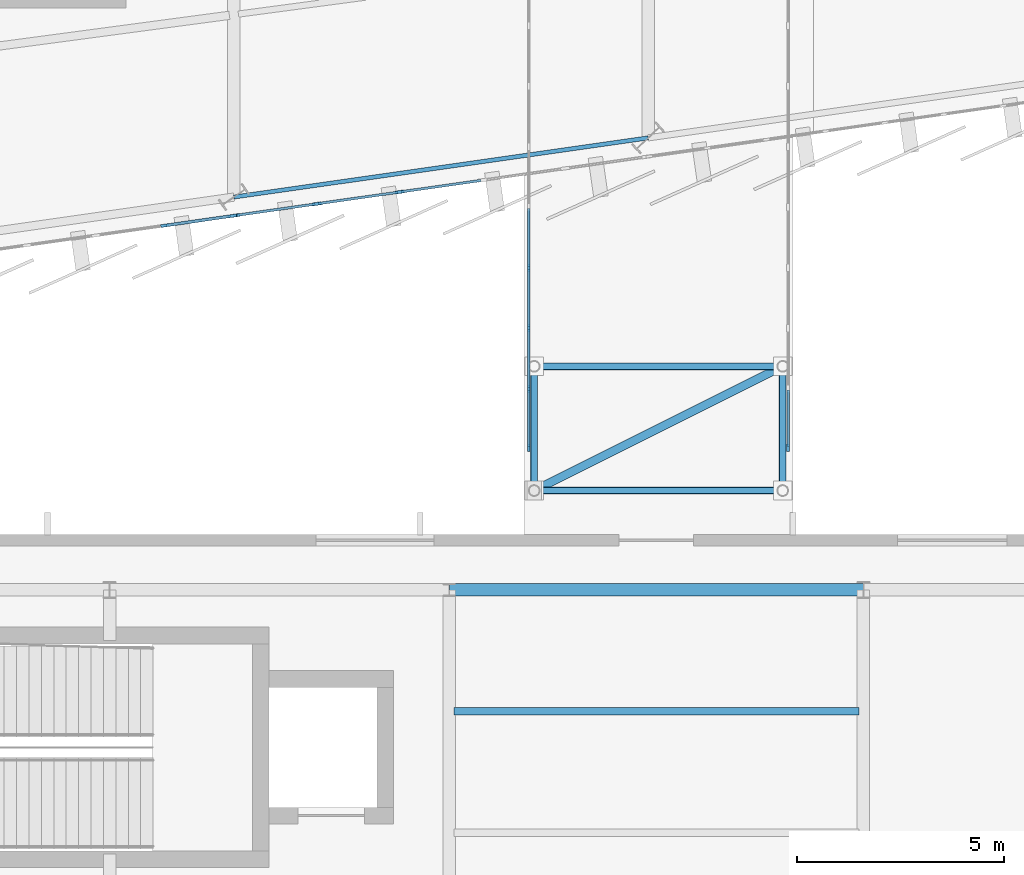
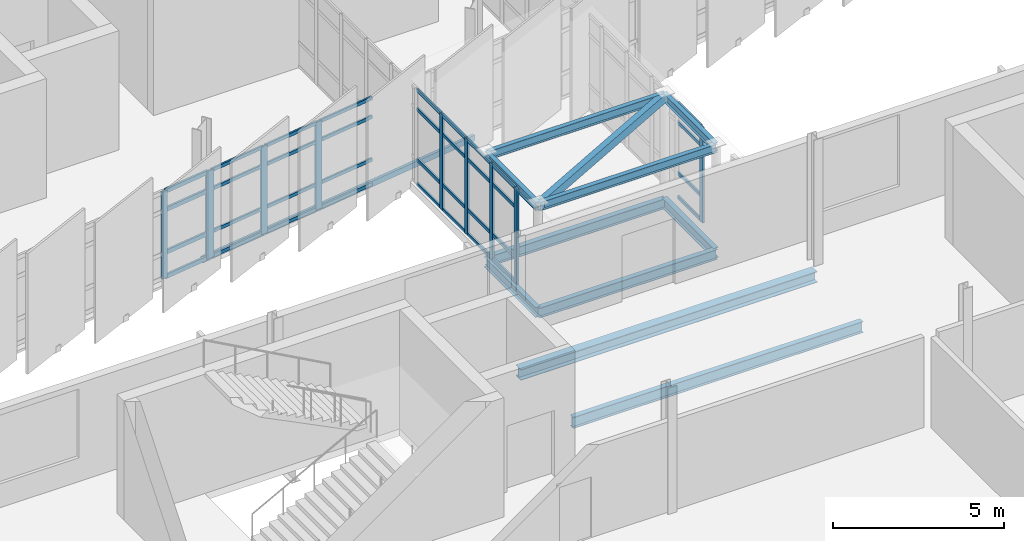
# One storey, part 40 of 125: 47 members, 11 beams, 4 elements without a shape of their own.
"""IFC4 building model written with IfcOpenShell, lengths in metres."""

from ifc_helpers import new_model, si_unit, direction, frame, origin, origin_2d, place, context, subcontext, project, spatial, rectangle, hollow_rectangle, i_section, extrude, material, layer, layer_set, material_profile, profile_set, type_object, element, aggregate, save


model = new_model("IFC4")

# Units and contexts
model_context = context("Model", 3, precision=1e-05, world=origin(), true_north=direction((0.0, 1.0)))
body_context = subcontext(model_context, "Body", "Model", "MODEL_VIEW")
ifc_project = project(units=[si_unit("LENGTHUNIT", "METRE"), si_unit("AREAUNIT", "SQUARE_METRE"), si_unit("VOLUMEUNIT", "CUBIC_METRE"), si_unit("PLANEANGLEUNIT", "RADIAN"), si_unit("MASSUNIT", "GRAM", prefix="KILO")], contexts=[model_context])

# Site, building, storey
site_placement = place(None, origin())
site = spatial("IfcSite", under=ifc_project, at=site_placement, CompositionType="ELEMENT")
building_placement = place(site_placement, origin())
building = spatial("IfcBuilding", under=site, at=building_placement, Name="Sohan Crest Arena", CompositionType="ELEMENT")
storey_placement = place(building_placement, frame((0.0, 0.0, 9.0)))
storey = spatial("IfcBuildingStorey", under=building, at=storey_placement, Name="L02", CompositionType="ELEMENT", Elevation=9.0)

# Curtain wall, members
ifc_material_1 = material(Name="Thermally broken anodised aluminium", Category="aluminium")
ifc_layer_1 = layer(ifc_material_1, 0.18994140625, Name="Thermally broken anodised aluminium")
ifc_layer_set_1 = layer_set([ifc_layer_1], Name="Thermally broken anodised aluminium")
curtain_wall_type_1 = type_object("IfcCurtainWallType", Name="ARC-CW05", PredefinedType="NOTDEFINED", material=ifc_layer_set_1)
curtain_wall_1_placement = place(storey_placement, origin())
curtain_wall_1 = element("IfcCurtainWall", 1, at=curtain_wall_1_placement, inside=storey, type_object=curtain_wall_type_1, Name="Unitised curtain wall CW-257", PredefinedType="NOTDEFINED")
ifc_material_profile_1 = material_profile(ifc_material_1, rectangle(XDim=0.06494140625, YDim=0.179931640625, at=origin_2d()), Name="ALU-MULL 65x180")
ifc_profile_set_1 = profile_set([ifc_material_profile_1], Name="Thermally broken anodised aluminium")
member_type_1 = type_object("IfcMemberType", Name="ARC-CW-ML02", PredefinedType="MULLION", material=ifc_profile_set_1)
member_1_placement = place(storey_placement, frame((135.1201171875, 28.232421875, 0.0), z_axis=(0.0, 0.0, 1.0), x_axis=(-1.0, 0.0, 0.0)))
member_1 = element("IfcMember", 2, at=member_1_placement, type_object=member_type_1, Name="CW-257 mullion 1", PredefinedType="MULLION", context=body_context, shape_type="SweptSolid", body=[
    extrude(rectangle(XDim=0.06494140625, YDim=0.179931640625, at=origin_2d()), origin(), (0.0, 0.0, 1.0), 3.39990234375),
])
member_2_placement = place(storey_placement, frame((135.1201171875, 29.659912109375, 0.0), z_axis=(0.0, 0.0, 1.0), x_axis=(-1.0, 0.0, 0.0)))
member_2 = element("IfcMember", 3, at=member_2_placement, type_object=member_type_1, Name="CW-257 mullion 2", PredefinedType="MULLION", context=body_context, shape_type="SweptSolid", body=[
    extrude(rectangle(XDim=0.06494140625, YDim=0.179931640625, at=origin_2d()), origin(), (0.0, 0.0, 1.0), 3.39990234375),
])
member_3_placement = place(storey_placement, frame((135.1201171875, 31.1201171875, 0.0), z_axis=(0.0, 0.0, 1.0), x_axis=(-1.0, 0.0, 0.0)))
member_3 = element("IfcMember", 4, at=member_3_placement, type_object=member_type_1, Name="CW-257 mullion 3", PredefinedType="MULLION", context=body_context, shape_type="SweptSolid", body=[
    extrude(rectangle(XDim=0.06494140625, YDim=0.179931640625, at=origin_2d()), origin(), (0.0, 0.0, 1.0), 3.39990234375),
])
member_4_placement = place(storey_placement, frame((135.1201171875, 32.580078125, 0.0), z_axis=(0.0, 0.0, 1.0), x_axis=(-1.0, 0.0, 0.0)))
member_4 = element("IfcMember", 5, at=member_4_placement, type_object=member_type_1, Name="CW-257 mullion 4", PredefinedType="MULLION", context=body_context, shape_type="SweptSolid", body=[
    extrude(rectangle(XDim=0.06494140625, YDim=0.179931640625, at=origin_2d()), origin(), (0.0, 0.0, 1.0), 3.39990234375),
])

# Curtain wall, member
curtain_wall_2_placement = place(storey_placement, origin())
curtain_wall_2 = element("IfcCurtainWall", 6, at=curtain_wall_2_placement, inside=storey, type_object=curtain_wall_type_1, Name="Unitised curtain wall CW-258", PredefinedType="NOTDEFINED")
member_5_placement = place(storey_placement, frame((141.3798828125, 28.232421875, 0.0), z_axis=(0.0, 0.0, 1.0), x_axis=(-1.0, 0.0, 0.0)))
member_5 = element("IfcMember", 7, at=member_5_placement, type_object=member_type_1, Name="CW-258 mullion 1", PredefinedType="MULLION", context=body_context, shape_type="SweptSolid", body=[
    extrude(rectangle(XDim=0.06494140625, YDim=0.179931640625, at=origin_2d()), origin(), (0.0, 0.0, 1.0), 3.39990234375),
])

# Curtain wall, members
ifc_layer_2 = layer(ifc_material_1, 0.219970703125, Name="Thermally broken anodised aluminium")
ifc_layer_set_2 = layer_set([ifc_layer_2], Name="Thermally broken anodised aluminium")
curtain_wall_type_2 = type_object("IfcCurtainWallType", Name="ARC-CW03", PredefinedType="NOTDEFINED", material=ifc_layer_set_2)
curtain_wall_3_placement = place(storey_placement, origin())
curtain_wall_3 = element("IfcCurtainWall", 8, at=curtain_wall_3_placement, inside=storey, type_object=curtain_wall_type_2, Name="Unitised curtain wall CW-062", PredefinedType="NOTDEFINED")
ifc_material_profile_2 = material_profile(ifc_material_1, rectangle(XDim=0.070068359375, YDim=0.199951171875, at=origin_2d()), Name="ALU-MULL 70x200")
ifc_profile_set_2 = profile_set([ifc_material_profile_2], Name="Thermally broken anodised aluminium")
member_type_2 = type_object("IfcMemberType", Name="ARC-CW-ML03", PredefinedType="MULLION", material=ifc_profile_set_2)
member_6_placement = place(storey_placement, frame((126.333251953125, 33.597900390625, 0.0), z_axis=(0.0, 0.0, 1.0), x_axis=(-0.141462933734, 0.989943553128, 0.0)))
member_6 = element("IfcMember", 9, at=member_6_placement, type_object=member_type_2, Name="CW-062 mullion 6", PredefinedType="MULLION", context=body_context, shape_type="SweptSolid", body=[
    extrude(rectangle(XDim=0.070068359375, YDim=0.199951171875, at=origin_2d()), origin(), (0.0, 0.0, 1.0), 3.1201171875),
])
member_7_placement = place(storey_placement, frame((127.96533203125, 33.8310546875, 0.0), z_axis=(0.0, 0.0, 1.0), x_axis=(-0.141462933734, 0.989943553128, 0.0)))
member_7 = element("IfcMember", 10, at=member_7_placement, type_object=member_type_2, Name="CW-062 mullion 7", PredefinedType="MULLION", context=body_context, shape_type="SweptSolid", body=[
    extrude(rectangle(XDim=0.070068359375, YDim=0.199951171875, at=origin_2d()), origin(), (0.0, 0.0, 1.0), 3.1201171875),
])

ifc_layer_3 = layer(ifc_material_1, 0.239990234375, Name="Thermally broken anodised aluminium")
ifc_layer_set_3 = layer_set([ifc_layer_3], Name="Thermally broken anodised aluminium")
curtain_wall_type_3 = type_object("IfcCurtainWallType", Name="ARC-CW04", PredefinedType="NOTDEFINED", material=ifc_layer_set_3)
curtain_wall_4_placement = place(storey_placement, origin())
curtain_wall_4 = element("IfcCurtainWall", 11, at=curtain_wall_4_placement, inside=storey, type_object=curtain_wall_type_3, Name="Unitised curtain wall CW-063", PredefinedType="NOTDEFINED")
ifc_material_profile_3 = material_profile(ifc_material_1, rectangle(XDim=0.074951171875, YDim=0.219970703125, at=origin_2d()), Name="ALU-MULL 75x220")
ifc_profile_set_3 = profile_set([ifc_material_profile_3], Name="Thermally broken anodised aluminium")
member_type_3 = type_object("IfcMemberType", Name="ARC-CW-ML04", PredefinedType="MULLION", material=ifc_profile_set_3)
member_8_placement = place(storey_placement, frame((128.037109375, 33.84130859375, 0.0), z_axis=(0.0, 0.0, 1.0), x_axis=(-0.141365918403, 0.989957411768, 0.0)))
member_8 = element("IfcMember", 12, at=member_8_placement, type_object=member_type_3, Name="CW-063 mullion 1", PredefinedType="MULLION", context=body_context, shape_type="SweptSolid", body=[
    extrude(rectangle(XDim=0.074951171875, YDim=0.219970703125, at=origin_2d()), origin(), (0.0, 0.0, 1.0), 3.1201171875),
])
member_9_placement = place(storey_placement, frame((130.0, 34.12158203125, 0.0), z_axis=(0.0, 0.0, 1.0), x_axis=(-0.141365918403, 0.989957411768, 0.0)))
member_9 = element("IfcMember", 13, at=member_9_placement, type_object=member_type_3, Name="CW-063 mullion 2", PredefinedType="MULLION", context=body_context, shape_type="SweptSolid", body=[
    extrude(rectangle(XDim=0.074951171875, YDim=0.219970703125, at=origin_2d()), origin(), (0.0, 0.0, 1.0), 3.1201171875),
])
member_10_placement = place(storey_placement, frame((132.0, 34.4072265625, 0.0), z_axis=(0.0, 0.0, 1.0), x_axis=(-0.141365918403, 0.989957411768, 0.0)))
member_10 = element("IfcMember", 14, at=member_10_placement, type_object=member_type_3, Name="CW-063 mullion 3", PredefinedType="MULLION", context=body_context, shape_type="SweptSolid", body=[
    extrude(rectangle(XDim=0.074951171875, YDim=0.219970703125, at=origin_2d()), origin(), (0.0, 0.0, 1.0), 3.1201171875),
])
ifc_material_profile_4 = material_profile(ifc_material_1, rectangle(XDim=0.06005859375, YDim=0.1201171875, at=origin_2d()), Name="ALU-TRAN 60x120")
ifc_profile_set_4 = profile_set([ifc_material_profile_4], Name="Thermally broken anodised aluminium")
member_type_4 = type_object("IfcMemberType", Name="ARC-CW-TR01", PredefinedType="USERDEFINED", material=ifc_profile_set_4)
member_11_placement = place(storey_placement, frame((128.07421875, 33.8466796875, 0.030029296875), z_axis=(0.989969958362, 0.141278029218, 0.0), x_axis=(-0.141278029218, 0.989969958362, 0.0)))
member_11 = element("IfcMember", 15, at=member_11_placement, type_object=member_type_4, Name="CW-063 transom 1.1", ObjectType="TRANSOM", PredefinedType="USERDEFINED", context=body_context, shape_type="SweptSolid", body=[
    extrude(rectangle(XDim=0.06005859375, YDim=0.1201171875, at=origin_2d()), origin(), (0.0, 0.0, 1.0), 1.90771484375),
])
member_12_placement = place(storey_placement, frame((128.07421875, 33.8466796875, 0.89990234375), z_axis=(0.989969958362, 0.141278029218, 0.0), x_axis=(-0.141278029218, 0.989969958362, 0.0)))
member_12 = element("IfcMember", 16, at=member_12_placement, type_object=member_type_4, Name="CW-063 transom 1.2", ObjectType="TRANSOM", PredefinedType="USERDEFINED", context=body_context, shape_type="SweptSolid", body=[
    extrude(rectangle(XDim=0.06005859375, YDim=0.1201171875, at=origin_2d()), origin(), (0.0, 0.0, 1.0), 1.90771484375),
])
member_13_placement = place(storey_placement, frame((128.07421875, 33.8466796875, 2.419921875), z_axis=(0.989969958362, 0.141278029218, 0.0), x_axis=(-0.141278029218, 0.989969958362, 0.0)))
member_13 = element("IfcMember", 17, at=member_13_placement, type_object=member_type_4, Name="CW-063 transom 1.3", ObjectType="TRANSOM", PredefinedType="USERDEFINED", context=body_context, shape_type="SweptSolid", body=[
    extrude(rectangle(XDim=0.06005859375, YDim=0.1201171875, at=origin_2d()), origin(), (0.0, 0.0, 1.0), 1.90771484375),
])
member_14_placement = place(storey_placement, frame((128.07421875, 33.8466796875, 3.090087890625), z_axis=(0.989969958362, 0.141278029218, 0.0), x_axis=(-0.141278029218, 0.989969958362, 0.0)))
member_14 = element("IfcMember", 18, at=member_14_placement, type_object=member_type_4, Name="CW-063 transom 1.4", ObjectType="TRANSOM", PredefinedType="USERDEFINED", context=body_context, shape_type="SweptSolid", body=[
    extrude(rectangle(XDim=0.06005859375, YDim=0.1201171875, at=origin_2d()), origin(), (0.0, 0.0, 1.0), 1.90771484375),
])
member_15_placement = place(storey_placement, frame((130.037109375, 34.126953125, 0.030029296875), z_axis=(0.98996454836, 0.141315933247, 0.0), x_axis=(-0.141315933247, 0.98996454836, 0.0)))
member_15 = element("IfcMember", 19, at=member_15_placement, type_object=member_type_4, Name="CW-063 transom 2.1", ObjectType="TRANSOM", PredefinedType="USERDEFINED", context=body_context, shape_type="SweptSolid", body=[
    extrude(rectangle(XDim=0.06005859375, YDim=0.1201171875, at=origin_2d()), origin(), (0.0, 0.0, 1.0), 1.9453125),
])
member_16_placement = place(storey_placement, frame((130.037109375, 34.126953125, 0.89990234375), z_axis=(0.98996454836, 0.141315933247, 0.0), x_axis=(-0.141315933247, 0.98996454836, 0.0)))
member_16 = element("IfcMember", 20, at=member_16_placement, type_object=member_type_4, Name="CW-063 transom 2.2", ObjectType="TRANSOM", PredefinedType="USERDEFINED", context=body_context, shape_type="SweptSolid", body=[
    extrude(rectangle(XDim=0.06005859375, YDim=0.1201171875, at=origin_2d()), origin(), (0.0, 0.0, 1.0), 1.9453125),
])
member_17_placement = place(storey_placement, frame((130.037109375, 34.126953125, 2.419921875), z_axis=(0.98996454836, 0.141315933247, 0.0), x_axis=(-0.141315933247, 0.98996454836, 0.0)))
member_17 = element("IfcMember", 21, at=member_17_placement, type_object=member_type_4, Name="CW-063 transom 2.3", ObjectType="TRANSOM", PredefinedType="USERDEFINED", context=body_context, shape_type="SweptSolid", body=[
    extrude(rectangle(XDim=0.06005859375, YDim=0.1201171875, at=origin_2d()), origin(), (0.0, 0.0, 1.0), 1.9453125),
])
member_18_placement = place(storey_placement, frame((130.037109375, 34.126953125, 3.090087890625), z_axis=(0.98996454836, 0.141315933247, 0.0), x_axis=(-0.141315933247, 0.98996454836, 0.0)))
member_18 = element("IfcMember", 22, at=member_18_placement, type_object=member_type_4, Name="CW-063 transom 2.4", ObjectType="TRANSOM", PredefinedType="USERDEFINED", context=body_context, shape_type="SweptSolid", body=[
    extrude(rectangle(XDim=0.06005859375, YDim=0.1201171875, at=origin_2d()), origin(), (0.0, 0.0, 1.0), 1.9453125),
])
member_19_placement = place(storey_placement, frame((132.037109375, 34.41259765625, 0.030029296875), z_axis=(0.98996454836, 0.141315933247, 0.0), x_axis=(-0.141315933247, 0.98996454836, 0.0)))
member_19 = element("IfcMember", 23, at=member_19_placement, type_object=member_type_4, Name="CW-063 transom 3.1", ObjectType="TRANSOM", PredefinedType="USERDEFINED", context=body_context, shape_type="SweptSolid", body=[
    extrude(rectangle(XDim=0.06005859375, YDim=0.1201171875, at=origin_2d()), origin(), (0.0, 0.0, 1.0), 1.9453125),
])
member_20_placement = place(storey_placement, frame((132.037109375, 34.41259765625, 0.89990234375), z_axis=(0.98996454836, 0.141315933247, 0.0), x_axis=(-0.141315933247, 0.98996454836, 0.0)))
member_20 = element("IfcMember", 24, at=member_20_placement, type_object=member_type_4, Name="CW-063 transom 3.2", ObjectType="TRANSOM", PredefinedType="USERDEFINED", context=body_context, shape_type="SweptSolid", body=[
    extrude(rectangle(XDim=0.06005859375, YDim=0.1201171875, at=origin_2d()), origin(), (0.0, 0.0, 1.0), 1.9453125),
])
member_21_placement = place(storey_placement, frame((132.037109375, 34.41259765625, 2.419921875), z_axis=(0.98996454836, 0.141315933247, 0.0), x_axis=(-0.141315933247, 0.98996454836, 0.0)))
member_21 = element("IfcMember", 25, at=member_21_placement, type_object=member_type_4, Name="CW-063 transom 3.3", ObjectType="TRANSOM", PredefinedType="USERDEFINED", context=body_context, shape_type="SweptSolid", body=[
    extrude(rectangle(XDim=0.06005859375, YDim=0.1201171875, at=origin_2d()), origin(), (0.0, 0.0, 1.0), 1.9453125),
])
member_22_placement = place(storey_placement, frame((132.037109375, 34.41259765625, 3.090087890625), z_axis=(0.98996454836, 0.141315933247, 0.0), x_axis=(-0.141315933247, 0.98996454836, 0.0)))
member_22 = element("IfcMember", 26, at=member_22_placement, type_object=member_type_4, Name="CW-063 transom 3.4", ObjectType="TRANSOM", PredefinedType="USERDEFINED", context=body_context, shape_type="SweptSolid", body=[
    extrude(rectangle(XDim=0.06005859375, YDim=0.1201171875, at=origin_2d()), origin(), (0.0, 0.0, 1.0), 1.9453125),
])
aggregate(curtain_wall_4, [member_8, member_9, member_10, member_11, member_12, member_13, member_14, member_15, member_16, member_17, member_18, member_19, member_20, member_21, member_22])

# Member
member_23_placement = place(storey_placement, frame((135.1201171875, 28.264892578125, 0.030029296875), z_axis=(0.0, 1.0, 0.0), x_axis=(-1.0, 0.0, 0.0)))
member_23 = element("IfcMember", 27, at=member_23_placement, type_object=member_type_4, Name="CW-257 transom 1.1", ObjectType="TRANSOM", PredefinedType="USERDEFINED", context=body_context, shape_type="SweptSolid", body=[
    extrude(rectangle(XDim=0.06005859375, YDim=0.1201171875, at=origin_2d()), origin(), (0.0, 0.0, 1.0), 1.362548828125),
])

member_24_placement = place(storey_placement, frame((135.1201171875, 28.264892578125, 0.89990234375), z_axis=(0.0, 1.0, 0.0), x_axis=(-1.0, 0.0, 0.0)))
member_24 = element("IfcMember", 28, at=member_24_placement, type_object=member_type_4, Name="CW-257 transom 1.2", ObjectType="TRANSOM", PredefinedType="USERDEFINED", context=body_context, shape_type="SweptSolid", body=[
    extrude(rectangle(XDim=0.06005859375, YDim=0.1201171875, at=origin_2d()), origin(), (0.0, 0.0, 1.0), 1.362548828125),
])

member_25_placement = place(storey_placement, frame((135.1201171875, 28.264892578125, 2.699951171875), z_axis=(0.0, 1.0, 0.0), x_axis=(-1.0, 0.0, 0.0)))
member_25 = element("IfcMember", 29, at=member_25_placement, type_object=member_type_4, Name="CW-257 transom 1.3", ObjectType="TRANSOM", PredefinedType="USERDEFINED", context=body_context, shape_type="SweptSolid", body=[
    extrude(rectangle(XDim=0.06005859375, YDim=0.1201171875, at=origin_2d()), origin(), (0.0, 0.0, 1.0), 1.362548828125),
])

member_26_placement = place(storey_placement, frame((135.1201171875, 28.264892578125, 3.3701171875), z_axis=(0.0, 1.0, 0.0), x_axis=(-1.0, 0.0, 0.0)))
member_26 = element("IfcMember", 30, at=member_26_placement, type_object=member_type_4, Name="CW-257 transom 1.4", ObjectType="TRANSOM", PredefinedType="USERDEFINED", context=body_context, shape_type="SweptSolid", body=[
    extrude(rectangle(XDim=0.06005859375, YDim=0.1201171875, at=origin_2d()), origin(), (0.0, 0.0, 1.0), 1.362548828125),
])

member_27_placement = place(storey_placement, frame((135.1201171875, 29.6923828125, 0.030029296875), z_axis=(0.0, 1.0, 0.0), x_axis=(-1.0, 0.0, 0.0)))
member_27 = element("IfcMember", 31, at=member_27_placement, type_object=member_type_4, Name="CW-257 transom 2.1", ObjectType="TRANSOM", PredefinedType="USERDEFINED", context=body_context, shape_type="SweptSolid", body=[
    extrude(rectangle(XDim=0.06005859375, YDim=0.1201171875, at=origin_2d()), origin(), (0.0, 0.0, 1.0), 1.39501953125),
])

member_28_placement = place(storey_placement, frame((135.1201171875, 29.6923828125, 0.89990234375), z_axis=(0.0, 1.0, 0.0), x_axis=(-1.0, 0.0, 0.0)))
member_28 = element("IfcMember", 32, at=member_28_placement, type_object=member_type_4, Name="CW-257 transom 2.2", ObjectType="TRANSOM", PredefinedType="USERDEFINED", context=body_context, shape_type="SweptSolid", body=[
    extrude(rectangle(XDim=0.06005859375, YDim=0.1201171875, at=origin_2d()), origin(), (0.0, 0.0, 1.0), 1.39501953125),
])

member_29_placement = place(storey_placement, frame((135.1201171875, 29.6923828125, 2.699951171875), z_axis=(0.0, 1.0, 0.0), x_axis=(-1.0, 0.0, 0.0)))
member_29 = element("IfcMember", 33, at=member_29_placement, type_object=member_type_4, Name="CW-257 transom 2.3", ObjectType="TRANSOM", PredefinedType="USERDEFINED", context=body_context, shape_type="SweptSolid", body=[
    extrude(rectangle(XDim=0.06005859375, YDim=0.1201171875, at=origin_2d()), origin(), (0.0, 0.0, 1.0), 1.39501953125),
])

member_30_placement = place(storey_placement, frame((135.1201171875, 29.6923828125, 3.3701171875), z_axis=(0.0, 1.0, 0.0), x_axis=(-1.0, 0.0, 0.0)))
member_30 = element("IfcMember", 34, at=member_30_placement, type_object=member_type_4, Name="CW-257 transom 2.4", ObjectType="TRANSOM", PredefinedType="USERDEFINED", context=body_context, shape_type="SweptSolid", body=[
    extrude(rectangle(XDim=0.06005859375, YDim=0.1201171875, at=origin_2d()), origin(), (0.0, 0.0, 1.0), 1.39501953125),
])

member_31_placement = place(storey_placement, frame((135.1201171875, 31.152587890625, 0.030029296875), z_axis=(0.0, 1.0, 0.0), x_axis=(-1.0, 0.0, 0.0)))
member_31 = element("IfcMember", 35, at=member_31_placement, type_object=member_type_4, Name="CW-257 transom 3.1", ObjectType="TRANSOM", PredefinedType="USERDEFINED", context=body_context, shape_type="SweptSolid", body=[
    extrude(rectangle(XDim=0.06005859375, YDim=0.1201171875, at=origin_2d()), origin(), (0.0, 0.0, 1.0), 1.39501953125),
])

member_32_placement = place(storey_placement, frame((135.1201171875, 31.152587890625, 0.89990234375), z_axis=(0.0, 1.0, 0.0), x_axis=(-1.0, 0.0, 0.0)))
member_32 = element("IfcMember", 36, at=member_32_placement, type_object=member_type_4, Name="CW-257 transom 3.2", ObjectType="TRANSOM", PredefinedType="USERDEFINED", context=body_context, shape_type="SweptSolid", body=[
    extrude(rectangle(XDim=0.06005859375, YDim=0.1201171875, at=origin_2d()), origin(), (0.0, 0.0, 1.0), 1.39501953125),
])

member_33_placement = place(storey_placement, frame((135.1201171875, 31.152587890625, 2.699951171875), z_axis=(0.0, 1.0, 0.0), x_axis=(-1.0, 0.0, 0.0)))
member_33 = element("IfcMember", 37, at=member_33_placement, type_object=member_type_4, Name="CW-257 transom 3.3", ObjectType="TRANSOM", PredefinedType="USERDEFINED", context=body_context, shape_type="SweptSolid", body=[
    extrude(rectangle(XDim=0.06005859375, YDim=0.1201171875, at=origin_2d()), origin(), (0.0, 0.0, 1.0), 1.39501953125),
])

member_34_placement = place(storey_placement, frame((135.1201171875, 31.152587890625, 3.3701171875), z_axis=(0.0, 1.0, 0.0), x_axis=(-1.0, 0.0, 0.0)))
member_34 = element("IfcMember", 38, at=member_34_placement, type_object=member_type_4, Name="CW-257 transom 3.4", ObjectType="TRANSOM", PredefinedType="USERDEFINED", context=body_context, shape_type="SweptSolid", body=[
    extrude(rectangle(XDim=0.06005859375, YDim=0.1201171875, at=origin_2d()), origin(), (0.0, 0.0, 1.0), 1.39501953125),
])

member_35_placement = place(storey_placement, frame((135.1201171875, 32.612548828125, 0.030029296875), z_axis=(0.0, 1.0, 0.0), x_axis=(-1.0, 0.0, 0.0)))
member_35 = element("IfcMember", 39, at=member_35_placement, type_object=member_type_4, Name="CW-257 transom 4.1", ObjectType="TRANSOM", PredefinedType="USERDEFINED", context=body_context, shape_type="SweptSolid", body=[
    extrude(rectangle(XDim=0.06005859375, YDim=0.1201171875, at=origin_2d()), origin(), (0.0, 0.0, 1.0), 1.39501953125),
])

member_36_placement = place(storey_placement, frame((135.1201171875, 32.612548828125, 0.89990234375), z_axis=(0.0, 1.0, 0.0), x_axis=(-1.0, 0.0, 0.0)))
member_36 = element("IfcMember", 40, at=member_36_placement, type_object=member_type_4, Name="CW-257 transom 4.2", ObjectType="TRANSOM", PredefinedType="USERDEFINED", context=body_context, shape_type="SweptSolid", body=[
    extrude(rectangle(XDim=0.06005859375, YDim=0.1201171875, at=origin_2d()), origin(), (0.0, 0.0, 1.0), 1.39501953125),
])

member_37_placement = place(storey_placement, frame((135.1201171875, 32.612548828125, 2.699951171875), z_axis=(0.0, 1.0, 0.0), x_axis=(-1.0, 0.0, 0.0)))
member_37 = element("IfcMember", 41, at=member_37_placement, type_object=member_type_4, Name="CW-257 transom 4.3", ObjectType="TRANSOM", PredefinedType="USERDEFINED", context=body_context, shape_type="SweptSolid", body=[
    extrude(rectangle(XDim=0.06005859375, YDim=0.1201171875, at=origin_2d()), origin(), (0.0, 0.0, 1.0), 1.39501953125),
])

member_38_placement = place(storey_placement, frame((135.1201171875, 32.612548828125, 3.3701171875), z_axis=(0.0, 1.0, 0.0), x_axis=(-1.0, 0.0, 0.0)))
member_38 = element("IfcMember", 42, at=member_38_placement, type_object=member_type_4, Name="CW-257 transom 4.4", ObjectType="TRANSOM", PredefinedType="USERDEFINED", context=body_context, shape_type="SweptSolid", body=[
    extrude(rectangle(XDim=0.06005859375, YDim=0.1201171875, at=origin_2d()), origin(), (0.0, 0.0, 1.0), 1.39501953125),
])

aggregate(curtain_wall_1, [member_1, member_2, member_3, member_4, member_23, member_24, member_25, member_26, member_27, member_28, member_29, member_30, member_31, member_32, member_33, member_34, member_35, member_36, member_37, member_38])

member_39_placement = place(storey_placement, frame((141.3798828125, 28.264892578125, 0.030029296875), z_axis=(0.0, 1.0, 0.0), x_axis=(-1.0, 0.0, 0.0)))
member_39 = element("IfcMember", 43, at=member_39_placement, type_object=member_type_4, Name="CW-258 transom 1.1", ObjectType="TRANSOM", PredefinedType="USERDEFINED", context=body_context, shape_type="SweptSolid", body=[
    extrude(rectangle(XDim=0.06005859375, YDim=0.1201171875, at=origin_2d()), origin(), (0.0, 0.0, 1.0), 1.362548828125),
])

member_40_placement = place(storey_placement, frame((141.3798828125, 28.264892578125, 0.89990234375), z_axis=(0.0, 1.0, 0.0), x_axis=(-1.0, 0.0, 0.0)))
member_40 = element("IfcMember", 44, at=member_40_placement, type_object=member_type_4, Name="CW-258 transom 1.2", ObjectType="TRANSOM", PredefinedType="USERDEFINED", context=body_context, shape_type="SweptSolid", body=[
    extrude(rectangle(XDim=0.06005859375, YDim=0.1201171875, at=origin_2d()), origin(), (0.0, 0.0, 1.0), 1.362548828125),
])

member_41_placement = place(storey_placement, frame((141.3798828125, 28.264892578125, 2.699951171875), z_axis=(0.0, 1.0, 0.0), x_axis=(-1.0, 0.0, 0.0)))
member_41 = element("IfcMember", 45, at=member_41_placement, type_object=member_type_4, Name="CW-258 transom 1.3", ObjectType="TRANSOM", PredefinedType="USERDEFINED", context=body_context, shape_type="SweptSolid", body=[
    extrude(rectangle(XDim=0.06005859375, YDim=0.1201171875, at=origin_2d()), origin(), (0.0, 0.0, 1.0), 1.362548828125),
])

member_42_placement = place(storey_placement, frame((141.3798828125, 28.264892578125, 3.3701171875), z_axis=(0.0, 1.0, 0.0), x_axis=(-1.0, 0.0, 0.0)))
member_42 = element("IfcMember", 46, at=member_42_placement, type_object=member_type_4, Name="CW-258 transom 1.4", ObjectType="TRANSOM", PredefinedType="USERDEFINED", context=body_context, shape_type="SweptSolid", body=[
    extrude(rectangle(XDim=0.06005859375, YDim=0.1201171875, at=origin_2d()), origin(), (0.0, 0.0, 1.0), 1.362548828125),
])

aggregate(curtain_wall_2, [member_5, member_39, member_40, member_41, member_42])

ifc_material_profile_5 = material_profile(ifc_material_1, rectangle(XDim=0.070068359375, YDim=0.14990234375, at=origin_2d()), Name="ALU-TRAN 70x150")
ifc_profile_set_5 = profile_set([ifc_material_profile_5], Name="Thermally broken anodised aluminium")
member_type_5 = type_object("IfcMemberType", Name="ARC-CW-TR03", PredefinedType="USERDEFINED", material=ifc_profile_set_5)
member_43_placement = place(storey_placement, frame((126.367919921875, 33.602783203125, 0.034912109375), z_axis=(0.989937117592, 0.141507961662, 0.0), x_axis=(-0.141507961662, 0.989937117592, 0.0)))
member_43 = element("IfcMember", 47, at=member_43_placement, type_object=member_type_5, Name="CW-062 transom 6.1", ObjectType="TRANSOM", PredefinedType="USERDEFINED", context=body_context, shape_type="SweptSolid", body=[
    extrude(rectangle(XDim=0.070068359375, YDim=0.14990234375, at=origin_2d()), origin(), (0.0, 0.0, 1.0), 1.57861328125),
])

member_44_placement = place(storey_placement, frame((126.367919921875, 33.602783203125, 0.89990234375), z_axis=(0.989937117592, 0.141507961662, 0.0), x_axis=(-0.141507961662, 0.989937117592, 0.0)))
member_44 = element("IfcMember", 48, at=member_44_placement, type_object=member_type_5, Name="CW-062 transom 6.2", ObjectType="TRANSOM", PredefinedType="USERDEFINED", context=body_context, shape_type="SweptSolid", body=[
    extrude(rectangle(XDim=0.070068359375, YDim=0.14990234375, at=origin_2d()), origin(), (0.0, 0.0, 1.0), 1.57861328125),
])

member_45_placement = place(storey_placement, frame((126.367919921875, 33.602783203125, 2.419921875), z_axis=(0.989937117592, 0.141507961662, 0.0), x_axis=(-0.141507961662, 0.989937117592, 0.0)))
member_45 = element("IfcMember", 49, at=member_45_placement, type_object=member_type_5, Name="CW-062 transom 6.3", ObjectType="TRANSOM", PredefinedType="USERDEFINED", context=body_context, shape_type="SweptSolid", body=[
    extrude(rectangle(XDim=0.070068359375, YDim=0.14990234375, at=origin_2d()), origin(), (0.0, 0.0, 1.0), 1.57861328125),
])

member_46_placement = place(storey_placement, frame((126.367919921875, 33.602783203125, 3.0849609375), z_axis=(0.989937117592, 0.141507961662, 0.0), x_axis=(-0.141507961662, 0.989937117592, 0.0)))
member_46 = element("IfcMember", 50, at=member_46_placement, type_object=member_type_5, Name="CW-062 transom 6.4", ObjectType="TRANSOM", PredefinedType="USERDEFINED", context=body_context, shape_type="SweptSolid", body=[
    extrude(rectangle(XDim=0.070068359375, YDim=0.14990234375, at=origin_2d()), origin(), (0.0, 0.0, 1.0), 1.57861328125),
])

aggregate(curtain_wall_3, [member_6, member_7, member_43, member_44, member_45, member_46])

# Beams
ifc_material_2 = material(Name="Steel S355", Category="steel")
ifc_material_profile_6 = material_profile(ifc_material_2, i_section(OverallWidth=0.14990234375, OverallDepth=0.300048828125, WebThickness=0.007080078125, FlangeThickness=0.0107421875, at=origin_2d()), Name="IPE 300")
ifc_profile_set_6 = profile_set([ifc_material_profile_6], Name="Steel S355")
beam_type_1 = type_object("IfcBeamType", Name="STR-BM-B01", PredefinedType="JOIST", material=ifc_profile_set_6)
for number, where, z_axis, x_axis, name in (
    (51, (135.25, 27.199951171875, 3.324951171875), (0.0, 1.0, 0.0), (-1.0, 0.0, 0.0), "Structural beam BRG-L02-3012"),
    (52, (141.25, 27.199951171875, 3.324951171875), (0.0, 1.0, 0.0), (-1.0, 0.0, 0.0), "Structural beam BRG-L02-3013"),
):
    element("IfcBeam", number, at=place(storey_placement, frame(where, z_axis=z_axis, x_axis=x_axis)), inside=storey, type_object=beam_type_1, Name=name, PredefinedType="JOIST", context=body_context, shape_type="SweptSolid", body=[
        extrude(i_section(OverallWidth=0.14990234375, OverallDepth=0.300048828125, WebThickness=0.007080078125, FlangeThickness=0.0107421875, at=origin_2d()), origin(), (0.0, 0.0, 1.0), 3.0),
    ])
for number, where, z_axis, x_axis, name in (
    (53, (135.25, 27.199951171875, 3.324951171875), (1.0, 0.0, 0.0), (0.0, 1.0, 0.0), "Structural beam BRG-L02-3014"),
    (54, (135.25, 30.199951171875, 3.324951171875), (1.0, 0.0, 0.0), (0.0, 1.0, 0.0), "Structural beam BRG-L02-3015"),
):
    element("IfcBeam", number, at=place(storey_placement, frame(where, z_axis=z_axis, x_axis=x_axis)), inside=storey, type_object=beam_type_1, Name=name, PredefinedType="JOIST", context=body_context, shape_type="SweptSolid", body=[
        extrude(i_section(OverallWidth=0.14990234375, OverallDepth=0.300048828125, WebThickness=0.007080078125, FlangeThickness=0.0107421875, at=origin_2d()), origin(), (0.0, 0.0, 1.0), 6.0),
    ])
ifc_material_profile_7 = material_profile(ifc_material_2, i_section(OverallWidth=0.169921875, OverallDepth=0.360107421875, WebThickness=0.008056640625, FlangeThickness=0.0126953125, at=origin_2d()), Name="IPE 360")
ifc_profile_set_7 = profile_set([ifc_material_profile_7], Name="Steel S355")
beam_type_2 = type_object("IfcBeamType", Name="STR-BM-B02", PredefinedType="JOIST", material=ifc_profile_set_7)
for number, where, z_axis, x_axis, name in (
    (55, (135.25, 27.199951171875, -0.455078125), (0.0, 1.0, 0.0), (-1.0, 0.0, 0.0), "Structural beam BG-L02-3008"),
    (56, (141.25, 27.199951171875, -0.455078125), (0.0, 1.0, 0.0), (-1.0, 0.0, 0.0), "Structural beam BG-L02-3009"),
):
    element("IfcBeam", number, at=place(storey_placement, frame(where, z_axis=z_axis, x_axis=x_axis)), inside=storey, type_object=beam_type_2, Name=name, PredefinedType="JOIST", context=body_context, shape_type="SweptSolid", body=[
        extrude(i_section(OverallWidth=0.169921875, OverallDepth=0.360107421875, WebThickness=0.008056640625, FlangeThickness=0.0126953125, at=origin_2d()), origin(), (0.0, 0.0, 1.0), 3.0),
    ])
for number, where, z_axis, x_axis, name in (
    (57, (135.25, 27.199951171875, -0.455078125), (1.0, 0.0, 0.0), (0.0, 1.0, 0.0), "Structural beam BG-L02-3010"),
    (58, (135.25, 30.199951171875, -0.455078125), (1.0, 0.0, 0.0), (0.0, 1.0, 0.0), "Structural beam BG-L02-3011"),
):
    element("IfcBeam", number, at=place(storey_placement, frame(where, z_axis=z_axis, x_axis=x_axis)), inside=storey, type_object=beam_type_2, Name=name, PredefinedType="JOIST", context=body_context, shape_type="SweptSolid", body=[
        extrude(i_section(OverallWidth=0.169921875, OverallDepth=0.360107421875, WebThickness=0.008056640625, FlangeThickness=0.0126953125, at=origin_2d()), origin(), (0.0, 0.0, 1.0), 6.0),
    ])
ifc_material_profile_8 = material_profile(ifc_material_2, i_section(OverallWidth=0.179931640625, OverallDepth=0.39990234375, WebThickness=0.008544921875, FlangeThickness=0.013427734375, at=origin_2d()), Name="IPE 400")
ifc_profile_set_8 = profile_set([ifc_material_profile_8], Name="Steel S355")
beam_type_3 = type_object("IfcBeamType", Name="STR-BM-B03", PredefinedType="JOIST", material=ifc_profile_set_8)
beam_1_placement = place(storey_placement, frame((133.31005859375, 21.866943359375, -0.449951171875), z_axis=(1.0, 0.0, 0.0), x_axis=(0.0, 1.0, 0.0)))
element("IfcBeam", 59, at=beam_1_placement, inside=storey, type_object=beam_type_3, Name="Structural beam J-L02-2687", PredefinedType="JOIST", context=body_context, shape_type="SweptSolid", body=[
    extrude(i_section(OverallWidth=0.179931640625, OverallDepth=0.39990234375, WebThickness=0.008544921875, FlangeThickness=0.013427734375, at=origin_2d()), origin(), (0.0, 0.0, 1.0), 9.780029296875),
])
ifc_material_profile_9 = material_profile(ifc_material_2, i_section(OverallWidth=0.300048828125, OverallDepth=0.389892578125, WebThickness=0.010986328125, FlangeThickness=0.01904296875, at=origin_2d()), Name="HEA 400")
ifc_profile_set_9 = profile_set([ifc_material_profile_9], Name="Steel S355")
beam_type_4 = type_object("IfcBeamType", Name="STR-BM-B09", PredefinedType="BEAM", material=ifc_profile_set_9)
beam_2_placement = place(storey_placement, frame((133.199951171875, 24.800048828125, -0.445068359375), z_axis=(1.0, 0.0, 0.0), x_axis=(0.0, 1.0, 0.0)))
element("IfcBeam", 60, at=beam_2_placement, inside=storey, type_object=beam_type_4, Name="Structural beam G-L02-2696", PredefinedType="BEAM", context=body_context, shape_type="SweptSolid", body=[
    extrude(i_section(OverallWidth=0.300048828125, OverallDepth=0.389892578125, WebThickness=0.010986328125, FlangeThickness=0.01904296875, at=origin_2d()), origin(), (0.0, 0.0, 1.0), 10.0),
])
ifc_material_profile_10 = material_profile(ifc_material_2, hollow_rectangle(XDim=0.10009765625, YDim=0.199951171875, WallThickness=0.008056640625, at=origin_2d()), Name="RHS 200x100x8")
ifc_profile_set_10 = profile_set([ifc_material_profile_10], Name="Steel S355")
beam_type_5 = type_object("IfcBeamType", Name="STR-BM-SP01", PredefinedType="SPANDREL", material=ifc_profile_set_10)
beam_3_placement = place(storey_placement, frame((128.0, 34.285888671875, -0.35009765625), z_axis=(0.989954326844, 0.141387519825, 0.0), x_axis=(-0.141387519825, 0.989954326844, 0.0)))
element("IfcBeam", 61, at=beam_3_placement, inside=storey, type_object=beam_type_5, Name="Structural beam SP-L02-1309", PredefinedType="SPANDREL", context=body_context, shape_type="SweptSolid", body=[
    extrude(hollow_rectangle(XDim=0.10009765625, YDim=0.199951171875, WallThickness=0.008056640625, at=origin_2d()), origin(), (0.0, 0.0, 1.0), 10.1015625),
])

# Member
ifc_material_profile_11 = material_profile(ifc_material_2, hollow_rectangle(XDim=0.199951171875, YDim=0.300048828125, WallThickness=0.010009765625, at=origin_2d()), Name="RHS 300x200x10")
ifc_profile_set_11 = profile_set([ifc_material_profile_11], Name="Steel S355")
member_type_6 = type_object("IfcMemberType", Name="STR-MEM-CH03", PredefinedType="CHORD", material=ifc_profile_set_11)
member_47_placement = place(storey_placement, frame((135.25, 27.199951171875, 3.324951171875), z_axis=(0.894427191, 0.4472135955, 0.0), x_axis=(-0.4472135955, 0.894427191, 0.0)))
element("IfcMember", 62, at=member_47_placement, inside=storey, type_object=member_type_6, Name="Bridge roof tie chord CH-006", PredefinedType="CHORD", context=body_context, shape_type="SweptSolid", body=[
    extrude(hollow_rectangle(XDim=0.199951171875, YDim=0.300048828125, WallThickness=0.010009765625, at=origin_2d()), origin(), (0.0, 0.0, 1.0), 6.708251953125),
])

save(model, "model.ifc")
